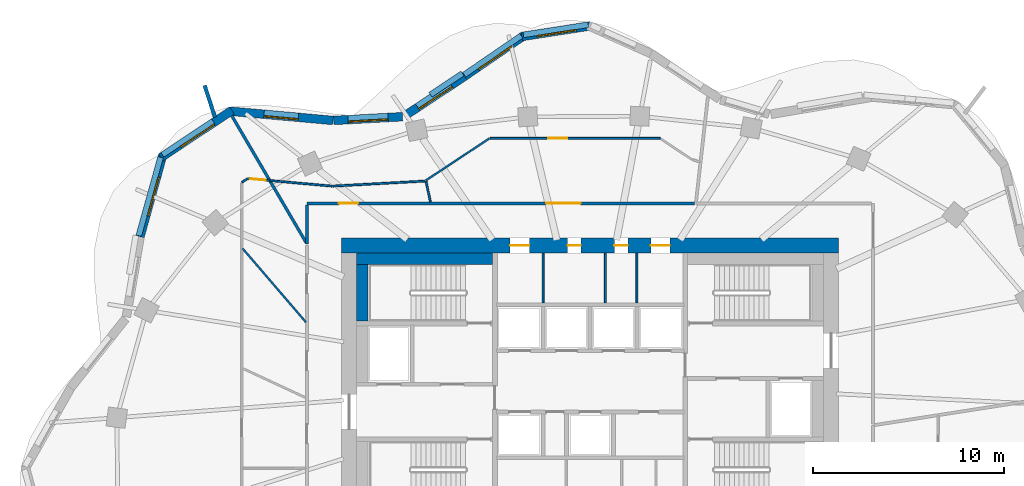
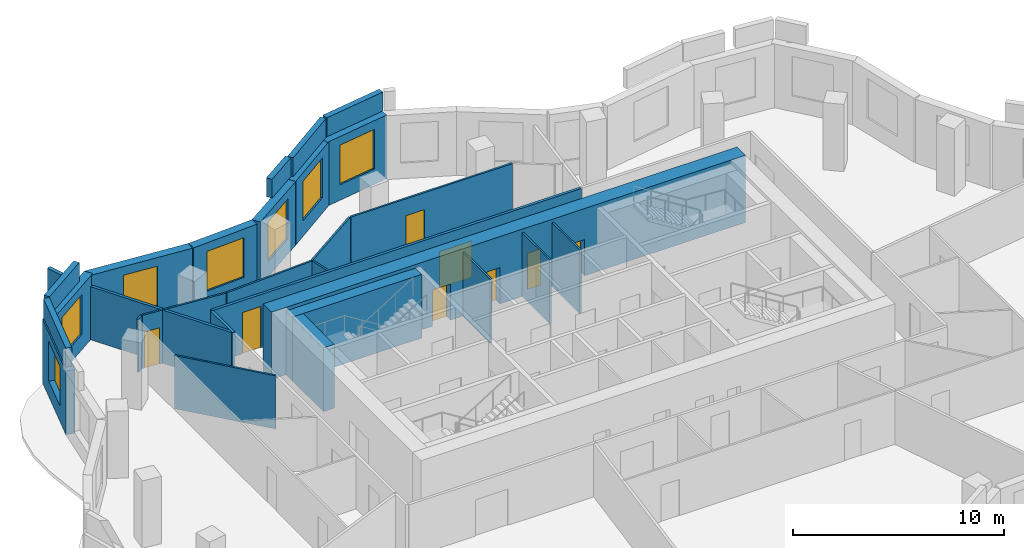
# One storey, part 7 of 9: 30 walls, 8 doors, 7 windows, 15 openings.
"""IFC4 building model written with IfcOpenShell, lengths in metres."""

from ifc_helpers import new_model, si_unit, direction, frame, frame_2d, origin, place, context, subcontext, project, spatial, rectangle, extrude, material, layer, layer_set, type_object, element, fill, save


model = new_model("IFC4")

# Units and contexts
model_context = context("Model", 3, precision=1e-05, world=origin(), true_north=direction((0.0, 1.0)))
body_context = subcontext(model_context, "Body", "Model", "MODEL_VIEW")
ifc_project = project(units=[si_unit("LENGTHUNIT", "METRE"), si_unit("AREAUNIT", "SQUARE_METRE"), si_unit("VOLUMEUNIT", "CUBIC_METRE"), si_unit("PLANEANGLEUNIT", "RADIAN"), si_unit("MASSUNIT", "GRAM", prefix="KILO")], contexts=[model_context])

# Site, building, storey
site_placement = place(None, origin())
site = spatial("IfcSite", under=ifc_project, at=site_placement, CompositionType="ELEMENT")
building_placement = place(site_placement, origin())
building = spatial("IfcBuilding", under=site, at=building_placement, Name="Rubra Terraces Tower", CompositionType="ELEMENT")
storey_placement = place(building_placement, frame((0.0, 0.0, 248.699951171875)))
storey = spatial("IfcBuildingStorey", under=building, at=storey_placement, Name="L61", CompositionType="ELEMENT", Elevation=248.699951171875)

# Wall, opening, window
ifc_material_1 = material(Name="Brick masonry red-brown", Category="masonry")
ifc_layer_1 = layer(ifc_material_1, 0.449951171875)
ifc_layer_set_1 = layer_set([ifc_layer_1], Name="Brick masonry red-brown")
wall_type_1 = type_object("IfcWallType", Name="Brick facade wall 450", PredefinedType="SOLIDWALL", material=ifc_layer_set_1)
wall_1_placement = place(storey_placement, frame((0.03466796875, 23.084716796875, 0.0), z_axis=(0.0, 0.0, 1.0), x_axis=(-0.988133637562, -0.153596596054, 0.0)))
wall_1 = element("IfcWall", 1, at=wall_1_placement, inside=storey, type_object=wall_type_1, Name="Facade wall L61 bay 11", PredefinedType="SOLIDWALL", context=body_context, shape_type="SweptSolid", body=[
    extrude(rectangle(XDim=3.646240234375, YDim=0.449951171875, at=frame_2d((1.8232421875, 0.0))), origin(), (0.0, 0.0, 1.0), 3.699951171875),
])
opening_1_placement = place(wall_1_placement, frame((0.773193359375, 0.0, 0.89990234375)))
opening_1 = element("IfcOpeningElement", 2, at=opening_1_placement, cuts=wall_1, Name="Opening W1B", PredefinedType="OPENING", context=body_context, shape_type="SweptSolid", body=[
    extrude(rectangle(XDim=2.10009765625, YDim=2.300048828125, at=frame_2d((1.050048828125, 1.14990234375))), frame((0.0, 0.23486328125, 0.0), z_axis=(0.0, -1.0, 0.0), x_axis=(1.0, 0.0, 0.0)), (0.0, 0.0, 1.0), 0.469970703125),
])
ifc_material_2 = material(Name="Clear glass in aluminium frame", Category="aluminium")
window_type_1 = type_object("IfcWindowType", Name="Fixed deep-set window tall storey 2100 x 2300", PartitioningType="SINGLE_PANEL", PredefinedType="WINDOW", material=ifc_material_2)
window_1_placement = place(opening_1_placement, origin())
window_1 = element("IfcWindow", 3, at=window_1_placement, inside=storey, type_object=window_type_1, Name="Window L61 bay 11", OverallHeight=2.300048828125, OverallWidth=2.10009765625, PartitioningType="SINGLE_PANEL", PredefinedType="WINDOW", context=body_context, shape_type="SweptSolid", body=[
    extrude(rectangle(XDim=2.10009765625, YDim=2.300048828125, at=frame_2d((1.050048828125, 1.14990234375))), frame((0.0, 0.135009765625, 0.0), z_axis=(0.0, -1.0, 0.0), x_axis=(1.0, 0.0, 0.0)), (0.0, 0.0, 1.0), 0.06005859375),
])
fill(opening_1, window_1)

wall_2_placement = place(storey_placement, frame((-3.478515625, 22.559814453125, 0.0), z_axis=(0.0, 0.0, 1.0), x_axis=(-0.824722766417, -0.565537230033, 0.0)))
wall_2 = element("IfcWall", 4, at=wall_2_placement, inside=storey, type_object=wall_type_1, Name="Facade wall L61 bay 12", PredefinedType="SOLIDWALL", context=body_context, shape_type="SweptSolid", body=[
    extrude(rectangle(XDim=3.742431640625, YDim=0.449951171875, at=frame_2d((1.87109375, 0.0))), origin(), (0.0, 0.0, 1.0), 3.699951171875),
])
opening_2_placement = place(wall_2_placement, frame((0.8212890625, 0.0, 0.89990234375)))
opening_2 = element("IfcOpeningElement", 5, at=opening_2_placement, cuts=wall_2, Name="Opening W1B", PredefinedType="OPENING", context=body_context, shape_type="SweptSolid", body=[
    extrude(rectangle(XDim=2.10009765625, YDim=2.300048828125, at=frame_2d((1.050048828125, 1.14990234375))), frame((0.0, 0.23486328125, 0.0), z_axis=(0.0, -1.0, 0.0), x_axis=(1.0, 0.0, 0.0)), (0.0, 0.0, 1.0), 0.469970703125),
])
window_2_placement = place(opening_2_placement, origin())
window_2 = element("IfcWindow", 6, at=window_2_placement, inside=storey, type_object=window_type_1, Name="Window L61 bay 12", OverallHeight=2.300048828125, OverallWidth=2.10009765625, PartitioningType="SINGLE_PANEL", PredefinedType="WINDOW", context=body_context, shape_type="SweptSolid", body=[
    extrude(rectangle(XDim=2.10009765625, YDim=2.300048828125, at=frame_2d((1.050048828125, 1.14990234375))), frame((0.0, 0.135009765625, 0.0), z_axis=(0.0, -1.0, 0.0), x_axis=(1.0, 0.0, 0.0)), (0.0, 0.0, 1.0), 0.06005859375),
])
fill(opening_2, window_2)

wall_3_placement = place(storey_placement, frame((-6.568115234375, 20.44140625, 0.0), z_axis=(0.0, 0.0, 1.0), x_axis=(-0.834034214531, -0.551712723246, 0.0)))
wall_3 = element("IfcWall", 7, at=wall_3_placement, inside=storey, type_object=wall_type_1, Name="Facade wall L61 bay 13", PredefinedType="SOLIDWALL", context=body_context, shape_type="SweptSolid", body=[
    extrude(rectangle(XDim=3.75732421875, YDim=0.449951171875, at=frame_2d((1.878662109375, 0.0))), origin(), (0.0, 0.0, 1.0), 3.699951171875),
])
opening_3_placement = place(wall_3_placement, frame((0.82861328125, 0.0, 0.89990234375)))
opening_3 = element("IfcOpeningElement", 8, at=opening_3_placement, cuts=wall_3, Name="Opening W1B", PredefinedType="OPENING", context=body_context, shape_type="SweptSolid", body=[
    extrude(rectangle(XDim=2.10009765625, YDim=2.300048828125, at=frame_2d((1.050048828125, 1.14990234375))), frame((0.0, 0.23486328125, 0.0), z_axis=(0.0, -1.0, 0.0), x_axis=(1.0, 0.0, 0.0)), (0.0, 0.0, 1.0), 0.469970703125),
])
window_3_placement = place(opening_3_placement, origin())
window_3 = element("IfcWindow", 9, at=window_3_placement, inside=storey, type_object=window_type_1, Name="Window L61 bay 13", OverallHeight=2.300048828125, OverallWidth=2.10009765625, PartitioningType="SINGLE_PANEL", PredefinedType="WINDOW", context=body_context, shape_type="SweptSolid", body=[
    extrude(rectangle(XDim=2.10009765625, YDim=2.300048828125, at=frame_2d((1.050048828125, 1.14990234375))), frame((0.0, 0.135009765625, 0.0), z_axis=(0.0, -1.0, 0.0), x_axis=(1.0, 0.0, 0.0)), (0.0, 0.0, 1.0), 0.06005859375),
])
fill(opening_3, window_3)

wall_4_placement = place(storey_placement, frame((-9.80322265625, 18.333740234375, 0.0), z_axis=(0.0, 0.0, 1.0), x_axis=(-0.998525941495, -0.054276552602, 0.0)))
wall_4 = element("IfcWall", 10, at=wall_4_placement, inside=storey, type_object=wall_type_1, Name="Facade wall L61 bay 14", PredefinedType="SOLIDWALL", context=body_context, shape_type="SweptSolid", body=[
    extrude(rectangle(XDim=3.60302734375, YDim=0.449951171875, at=frame_2d((1.801513671875, 0.0))), origin(), (0.0, 0.0, 1.0), 3.699951171875),
])
opening_4_placement = place(wall_4_placement, frame((0.75146484375, 0.0, 0.89990234375)))
opening_4 = element("IfcOpeningElement", 11, at=opening_4_placement, cuts=wall_4, Name="Opening W1B", PredefinedType="OPENING", context=body_context, shape_type="SweptSolid", body=[
    extrude(rectangle(XDim=2.10009765625, YDim=2.300048828125, at=frame_2d((1.050048828125, 1.14990234375))), frame((0.0, 0.23486328125, 0.0), z_axis=(0.0, -1.0, 0.0), x_axis=(1.0, 0.0, 0.0)), (0.0, 0.0, 1.0), 0.469970703125),
])
window_4_placement = place(opening_4_placement, origin())
window_4 = element("IfcWindow", 12, at=window_4_placement, inside=storey, type_object=window_type_1, Name="Window L61 bay 14", OverallHeight=2.300048828125, OverallWidth=2.10009765625, PartitioningType="SINGLE_PANEL", PredefinedType="WINDOW", context=body_context, shape_type="SweptSolid", body=[
    extrude(rectangle(XDim=2.10009765625, YDim=2.300048828125, at=frame_2d((1.050048828125, 1.14990234375))), frame((0.0, 0.135009765625, 0.0), z_axis=(0.0, -1.0, 0.0), x_axis=(1.0, 0.0, 0.0)), (0.0, 0.0, 1.0), 0.06005859375),
])
fill(opening_4, window_4)

wall_5_placement = place(storey_placement, frame((-13.435791015625, 18.1376953125, 0.0), z_axis=(0.0, 0.0, 1.0), x_axis=(-0.99598810213, 0.089485755376, 0.0)))
wall_5 = element("IfcWall", 13, at=wall_5_placement, inside=storey, type_object=wall_type_1, Name="Facade wall L61 bay 15", PredefinedType="SOLIDWALL", context=body_context, shape_type="SweptSolid", body=[
    extrude(rectangle(XDim=5.451171875, YDim=0.449951171875, at=frame_2d((2.7255859375, 0.0))), origin(), (0.0, 0.0, 1.0), 3.699951171875),
])
opening_5_placement = place(wall_5_placement, frame((1.825439453125, 0.0, 0.89990234375)))
opening_5 = element("IfcOpeningElement", 14, at=opening_5_placement, cuts=wall_5, Name="Opening W6B", PredefinedType="OPENING", context=body_context, shape_type="SweptSolid", body=[
    extrude(rectangle(XDim=1.800048828125, YDim=2.300048828125, at=frame_2d((0.89990234375, 1.14990234375))), frame((0.0, 0.23486328125, 0.0), z_axis=(0.0, -1.0, 0.0), x_axis=(1.0, 0.0, 0.0)), (0.0, 0.0, 1.0), 0.469970703125),
])
window_type_2 = type_object("IfcWindowType", Name="Fixed deep-set window at wind fin tall storey 1800 x 2300", PartitioningType="SINGLE_PANEL", PredefinedType="WINDOW", material=ifc_material_2)
window_5_placement = place(opening_5_placement, origin())
window_5 = element("IfcWindow", 15, at=window_5_placement, inside=storey, type_object=window_type_2, Name="Window L61 bay 15", OverallHeight=2.300048828125, OverallWidth=1.800048828125, PartitioningType="SINGLE_PANEL", PredefinedType="WINDOW", context=body_context, shape_type="SweptSolid", body=[
    extrude(rectangle(XDim=1.800048828125, YDim=2.300048828125, at=frame_2d((0.89990234375, 1.14990234375))), frame((0.0, 0.135009765625, 0.0), z_axis=(0.0, -1.0, 0.0), x_axis=(1.0, 0.0, 0.0)), (0.0, 0.0, 1.0), 0.06005859375),
])
fill(opening_5, window_5)

wall_6_placement = place(storey_placement, frame((-18.7255859375, 18.66259765625, 0.0), z_axis=(0.0, 0.0, 1.0), x_axis=(-0.83333921474, -0.552761931736, 0.0)))
wall_6 = element("IfcWall", 16, at=wall_6_placement, inside=storey, type_object=wall_type_1, Name="Facade wall L61 bay 16", PredefinedType="SOLIDWALL", context=body_context, shape_type="SweptSolid", body=[
    extrude(rectangle(XDim=4.45068359375, YDim=0.449951171875, at=frame_2d((2.225341796875, 0.0))), origin(), (0.0, 0.0, 1.0), 3.699951171875),
])
opening_6_placement = place(wall_6_placement, frame((1.17529296875, 0.0, 0.89990234375)))
opening_6 = element("IfcOpeningElement", 17, at=opening_6_placement, cuts=wall_6, Name="Opening W1B", PredefinedType="OPENING", context=body_context, shape_type="SweptSolid", body=[
    extrude(rectangle(XDim=2.10009765625, YDim=2.300048828125, at=frame_2d((1.050048828125, 1.14990234375))), frame((0.0, 0.23486328125, 0.0), z_axis=(0.0, -1.0, 0.0), x_axis=(1.0, 0.0, 0.0)), (0.0, 0.0, 1.0), 0.469970703125),
])
window_6_placement = place(opening_6_placement, origin())
window_6 = element("IfcWindow", 18, at=window_6_placement, inside=storey, type_object=window_type_1, Name="Window L61 bay 16", OverallHeight=2.300048828125, OverallWidth=2.10009765625, PartitioningType="SINGLE_PANEL", PredefinedType="WINDOW", context=body_context, shape_type="SweptSolid", body=[
    extrude(rectangle(XDim=2.10009765625, YDim=2.300048828125, at=frame_2d((1.050048828125, 1.14990234375))), frame((0.0, 0.135009765625, 0.0), z_axis=(0.0, -1.0, 0.0), x_axis=(1.0, 0.0, 0.0)), (0.0, 0.0, 1.0), 0.06005859375),
])
fill(opening_6, window_6)

wall_7_placement = place(storey_placement, frame((-22.343505859375, 16.32568359375, 0.0), z_axis=(0.0, 0.0, 1.0), x_axis=(-0.267925456304, -0.963439645159, 0.0)))
wall_7 = element("IfcWall", 19, at=wall_7_placement, inside=storey, type_object=wall_type_1, Name="Facade wall L61 bay 17", PredefinedType="SOLIDWALL", context=body_context, shape_type="SweptSolid", body=[
    extrude(rectangle(XDim=4.4267578125, YDim=0.449951171875, at=frame_2d((2.21337890625, 0.0))), origin(), (0.0, 0.0, 1.0), 3.699951171875),
])
opening_7_placement = place(wall_7_placement, frame((1.16357421875, 0.0, 0.89990234375)))
opening_7 = element("IfcOpeningElement", 20, at=opening_7_placement, cuts=wall_7, Name="Opening W1B", PredefinedType="OPENING", context=body_context, shape_type="SweptSolid", body=[
    extrude(rectangle(XDim=2.10009765625, YDim=2.300048828125, at=frame_2d((1.050048828125, 1.14990234375))), frame((0.0, 0.23486328125, 0.0), z_axis=(0.0, -1.0, 0.0), x_axis=(1.0, 0.0, 0.0)), (0.0, 0.0, 1.0), 0.469970703125),
])
window_7_placement = place(opening_7_placement, origin())
window_7 = element("IfcWindow", 21, at=window_7_placement, inside=storey, type_object=window_type_1, Name="Window L61 bay 17", OverallHeight=2.300048828125, OverallWidth=2.10009765625, PartitioningType="SINGLE_PANEL", PredefinedType="WINDOW", context=body_context, shape_type="SweptSolid", body=[
    extrude(rectangle(XDim=2.10009765625, YDim=2.300048828125, at=frame_2d((1.050048828125, 1.14990234375))), frame((0.0, 0.135009765625, 0.0), z_axis=(0.0, -1.0, 0.0), x_axis=(1.0, 0.0, 0.0)), (0.0, 0.0, 1.0), 0.06005859375),
])
fill(opening_7, window_7)

# Walls
ifc_layer_2 = layer(ifc_material_1, 0.300048828125)
ifc_layer_set_2 = layer_set([ifc_layer_2], Name="Brick masonry red-brown")
wall_type_2 = type_object("IfcWallType", Name="Brick parapet 300", PredefinedType="PARAPET", material=ifc_layer_set_2)
wall_8_placement = place(storey_placement, frame((-0.09423828125, 23.140380859375, 3.900146484375), z_axis=(0.0, 0.0, 1.0), x_axis=(-0.988150084887, -0.153490748056, 0.0)))
element("IfcWall", 22, at=wall_8_placement, inside=storey, type_object=wall_type_2, Name="Parapet L61 bay 11", PredefinedType="PARAPET", context=body_context, shape_type="SweptSolid", body=[
    extrude(rectangle(XDim=3.42919921875, YDim=0.300048828125, at=frame_2d((1.714599609375, 0.0))), origin(), (0.0, 0.0, 1.0), 1.099853515625),
])
wall_9_placement = place(storey_placement, frame((-3.59912109375, 22.56787109375, 3.900146484375), z_axis=(0.0, 0.0, 1.0), x_axis=(-0.82476034254, -0.565482428881, 0.0)))
element("IfcWall", 23, at=wall_9_placement, inside=storey, type_object=wall_type_2, Name="Parapet L61 bay 12", PredefinedType="PARAPET", context=body_context, shape_type="SweptSolid", body=[
    extrude(rectangle(XDim=3.61572265625, YDim=0.300048828125, at=frame_2d((1.807861328125, 0.0))), origin(), (0.0, 0.0, 1.0), 1.099853515625),
])
wall_10_placement = place(storey_placement, frame((-6.665283203125, 20.593017578125, 3.900146484375), z_axis=(0.0, 0.0, 1.0), x_axis=(-0.834027642059, -0.551722658843, 0.0)))
element("IfcWall", 24, at=wall_10_placement, inside=storey, type_object=wall_type_2, Name="Parapet L61 bay 13", PredefinedType="PARAPET", context=body_context, shape_type="SweptSolid", body=[
    extrude(rectangle(XDim=2.008056640625, YDim=0.300048828125, at=frame_2d((1.00390625, 0.0))), origin(), (0.0, 0.0, 1.0), 1.099853515625),
])
wall_11_placement = place(storey_placement, frame((-19.70751953125, 18.101318359375, 3.900146484375), z_axis=(0.0, 0.0, 1.0), x_axis=(-0.833370664286, -0.552714515738, 0.0)))
element("IfcWall", 25, at=wall_11_placement, inside=storey, type_object=wall_type_2, Name="Parapet L61 bay 16", PredefinedType="PARAPET", context=body_context, shape_type="SweptSolid", body=[
    extrude(rectangle(XDim=3.180419921875, YDim=0.300048828125, at=frame_2d((1.59033203125, 0.0))), origin(), (0.0, 0.0, 1.0), 1.099853515625),
])
wall_12_placement = place(storey_placement, frame((-22.452392578125, 16.213134765625, 3.900146484375), z_axis=(0.0, 0.0, 1.0), x_axis=(-0.267993020858, -0.963420853403, 0.0)))
element("IfcWall", 26, at=wall_12_placement, inside=storey, type_object=wall_type_2, Name="Parapet L61 bay 17", PredefinedType="PARAPET", context=body_context, shape_type="SweptSolid", body=[
    extrude(rectangle(XDim=4.25537109375, YDim=0.300048828125, at=frame_2d((2.127685546875, 0.0))), origin(), (0.0, 0.0, 1.0), 1.099853515625),
])
ifc_layer_3 = layer(ifc_material_1, 0.199951171875)
ifc_layer_set_3 = layer_set([ifc_layer_3], Name="Brick masonry red-brown")
wall_type_3 = type_object("IfcWallType", Name="Brick wind fin 200", PredefinedType="SOLIDWALL", material=ifc_layer_set_3)
wall_13_placement = place(storey_placement, frame((-19.60888671875, 18.304931640625, 0.0), z_axis=(0.0, 0.0, 1.0), x_axis=(-0.308600224758, 0.951191832008, 0.0)))
element("IfcWall", 27, at=wall_13_placement, inside=storey, type_object=wall_type_3, Name="Wind fin L61 10", PredefinedType="SOLIDWALL", context=body_context, shape_type="SweptSolid", body=[
    extrude(rectangle(XDim=1.75, YDim=0.199951171875, at=frame_2d((0.875, 0.0))), origin(), (0.0, 0.0, 1.0), 3.699951171875),
])

# Wall, openings, doors
ifc_material_3 = material(Name="Concrete C50", Category="concrete")
ifc_layer_4 = layer(ifc_material_3, 0.800048828125)
ifc_layer_set_4 = layer_set([ifc_layer_4], Name="Concrete C50")
wall_type_4 = type_object("IfcWallType", Name="CORE WALL 800 C50", PredefinedType="SHEAR", material=ifc_layer_set_4)
wall_14_placement = place(storey_placement, frame((-13.0, 11.60009765625, 0.0), z_axis=(0.0, 0.0, 1.0), x_axis=(1.0, 0.0, 0.0)))
wall_14 = element("IfcWall", 28, at=wall_14_placement, inside=storey, type_object=wall_type_4, Name="CORE WALL N L61", PredefinedType="SHEAR", context=body_context, shape_type="SweptSolid", body=[
    extrude(rectangle(XDim=26.0, YDim=0.800048828125, at=frame_2d((13.0, 0.0))), origin(), (0.0, 0.0, 1.0), 3.900146484375),
])
opening_8_placement = place(wall_14_placement, frame((8.824951171875, 0.0, 0.0)))
opening_8 = element("IfcOpeningElement", 29, at=opening_8_placement, cuts=wall_14, Name="Opening L61.C25", PredefinedType="OPENING", context=body_context, shape_type="SweptSolid", body=[
    extrude(rectangle(XDim=1.0, YDim=2.10009765625, at=frame_2d((0.5, 1.050048828125))), frame((0.0, 0.409912109375, 0.0), z_axis=(0.0, -1.0, 0.0), x_axis=(1.0, 0.0, 0.0)), (0.0, 0.0, 1.0), 0.820068359375),
])
opening_9_placement = place(wall_14_placement, frame((11.824951171875, 0.0, 0.0)))
opening_9 = element("IfcOpeningElement", 30, at=opening_9_placement, cuts=wall_14, Name="Opening L61.C26", PredefinedType="OPENING", context=body_context, shape_type="SweptSolid", body=[
    extrude(rectangle(XDim=0.699951171875, YDim=2.10009765625, at=frame_2d((0.35009765625, 1.050048828125))), frame((0.0, 0.409912109375, 0.0), z_axis=(0.0, -1.0, 0.0), x_axis=(1.0, 0.0, 0.0)), (0.0, 0.0, 1.0), 0.820068359375),
])
opening_10_placement = place(wall_14_placement, frame((14.27490234375, 0.0, 0.0)))
opening_10 = element("IfcOpeningElement", 31, at=opening_10_placement, cuts=wall_14, Name="Opening L61.C27", PredefinedType="OPENING", context=body_context, shape_type="SweptSolid", body=[
    extrude(rectangle(XDim=0.699951171875, YDim=2.10009765625, at=frame_2d((0.35009765625, 1.050048828125))), frame((0.0, 0.409912109375, 0.0), z_axis=(0.0, -1.0, 0.0), x_axis=(1.0, 0.0, 0.0)), (0.0, 0.0, 1.0), 0.820068359375),
])
opening_11_placement = place(wall_14_placement, frame((16.175048828125, 0.0, 0.0)))
opening_11 = element("IfcOpeningElement", 32, at=opening_11_placement, cuts=wall_14, Name="Opening L61.C28", PredefinedType="OPENING", context=body_context, shape_type="SweptSolid", body=[
    extrude(rectangle(XDim=1.0, YDim=2.10009765625, at=frame_2d((0.5, 1.050048828125))), frame((0.0, 0.409912109375, 0.0), z_axis=(0.0, -1.0, 0.0), x_axis=(1.0, 0.0, 0.0)), (0.0, 0.0, 1.0), 0.820068359375),
])
ifc_material_4 = material(Name="Painted steel", Category="steel")
door_type_1 = type_object("IfcDoorType", Name="Fire door 1000x2100 single", OperationType="NOTDEFINED", PredefinedType="DOOR", material=ifc_material_4)
door_1_placement = place(opening_8_placement, origin())
door_1 = element("IfcDoor", 33, at=door_1_placement, inside=storey, type_object=door_type_1, Name="Security and building control room door", OperationType="SINGLE_SWING_LEFT", OverallHeight=2.10009765625, OverallWidth=1.0, PredefinedType="DOOR", context=body_context, shape_type="SweptSolid", body=[
    extrude(rectangle(XDim=1.0, YDim=2.10009765625, at=frame_2d((0.5, 1.050048828125))), frame((0.0, 0.02490234375, 0.0), z_axis=(0.0, -1.0, 0.0), x_axis=(1.0, 0.0, 0.0)), (0.0, 0.0, 1.0), 0.050048828125),
])
fill(opening_8, door_1)
door_2_placement = place(opening_11_placement, origin())
door_2 = element("IfcDoor", 34, at=door_2_placement, inside=storey, type_object=door_type_1, Name="Guest pantry door", OperationType="SINGLE_SWING_RIGHT", OverallHeight=2.10009765625, OverallWidth=1.0, PredefinedType="DOOR", context=body_context, shape_type="SweptSolid", body=[
    extrude(rectangle(XDim=1.0, YDim=2.10009765625, at=frame_2d((0.5, 1.050048828125))), frame((0.0, 0.02490234375, 0.0), z_axis=(0.0, -1.0, 0.0), x_axis=(1.0, 0.0, 0.0)), (0.0, 0.0, 1.0), 0.050048828125),
])
fill(opening_11, door_2)
door_type_2 = type_object("IfcDoorType", Name="Riser access door 700x2100 single", OperationType="NOTDEFINED", PredefinedType="DOOR", material=ifc_material_4)
door_3_placement = place(opening_9_placement, origin())
door_3 = element("IfcDoor", 35, at=door_3_placement, inside=storey, type_object=door_type_2, Name="Telecoms room door", OperationType="SINGLE_SWING_RIGHT", OverallHeight=2.10009765625, OverallWidth=0.699951171875, PredefinedType="DOOR", context=body_context, shape_type="SweptSolid", body=[
    extrude(rectangle(XDim=0.699951171875, YDim=2.10009765625, at=frame_2d((0.35009765625, 1.050048828125))), frame((0.0, 0.02490234375, 0.0), z_axis=(0.0, -1.0, 0.0), x_axis=(1.0, 0.0, 0.0)), (0.0, 0.0, 1.0), 0.050048828125),
])
fill(opening_9, door_3)
door_4_placement = place(opening_10_placement, origin())
door_4 = element("IfcDoor", 36, at=door_4_placement, inside=storey, type_object=door_type_2, Name="Water and drainage riser door", OperationType="SINGLE_SWING_LEFT", OverallHeight=2.10009765625, OverallWidth=0.699951171875, PredefinedType="DOOR", context=body_context, shape_type="SweptSolid", body=[
    extrude(rectangle(XDim=0.699951171875, YDim=2.10009765625, at=frame_2d((0.35009765625, 1.050048828125))), frame((0.0, 0.02490234375, 0.0), z_axis=(0.0, -1.0, 0.0), x_axis=(1.0, 0.0, 0.0)), (0.0, 0.0, 1.0), 0.050048828125),
])
fill(opening_10, door_4)

ifc_material_5 = material(Name="Plasterboard on steel stud, mineral wool infill", Category="steel")
ifc_layer_5 = layer(ifc_material_5, 0.14990234375)
ifc_layer_set_5 = layer_set([ifc_layer_5], Name="Plasterboard on steel stud, mineral wool infill")
wall_type_5 = type_object("IfcWallType", Name="CORRIDOR PARTITION 150", PredefinedType="PARTITIONING", material=ifc_layer_set_5)
wall_15_placement = place(storey_placement, frame((5.457763671875, 13.800048828125, 0.0), z_axis=(0.0, 0.0, 1.0), x_axis=(-1.0, 0.0, 0.0)))
wall_15 = element("IfcWall", 37, at=wall_15_placement, inside=storey, type_object=wall_type_5, Name="PARTITION", PredefinedType="PARTITIONING", context=body_context, shape_type="SweptSolid", body=[
    extrude(rectangle(XDim=20.2578125, YDim=0.14990234375, at=frame_2d((10.12890625, 0.0))), origin(), (0.0, 0.0, 1.0), 3.083984375),
])
opening_12_placement = place(wall_15_placement, frame((5.95703125, 0.0, 0.0)))
opening_12 = element("IfcOpeningElement", 38, at=opening_12_placement, cuts=wall_15, Name="Opening 61-112", PredefinedType="OPENING", context=body_context, shape_type="SweptSolid", body=[
    extrude(rectangle(XDim=1.800048828125, YDim=2.10009765625, at=frame_2d((0.89990234375, 1.050048828125))), frame((0.0, 0.0849609375, 0.0), z_axis=(0.0, -1.0, 0.0), x_axis=(1.0, 0.0, 0.0)), (0.0, 0.0, 1.0), 0.169921875),
])
opening_13_placement = place(wall_15_placement, frame((17.583984375, 0.0, 0.0)))
opening_13 = element("IfcOpeningElement", 39, at=opening_13_placement, cuts=wall_15, Name="Opening 61-114", PredefinedType="OPENING", context=body_context, shape_type="SweptSolid", body=[
    extrude(rectangle(XDim=1.0, YDim=2.39990234375, at=frame_2d((0.5, 1.199951171875))), frame((0.0, 0.0849609375, 0.0), z_axis=(0.0, -1.0, 0.0), x_axis=(1.0, 0.0, 0.0)), (0.0, 0.0, 1.0), 0.169921875),
])
ifc_material_6 = material(Name="Glazed aluminium meeting door leaf", Category="aluminium")
door_type_3 = type_object("IfcDoorType", Name="MEETING ROOM GLAZED DOOR 1000 X 2400", OperationType="SINGLE_SWING_LEFT", PredefinedType="DOOR", material=ifc_material_6)
door_5_placement = place(opening_13_placement, origin())
door_5 = element("IfcDoor", 40, at=door_5_placement, inside=storey, type_object=door_type_3, Name="DOOR 61-114", OperationType="SINGLE_SWING_LEFT", OverallHeight=2.39990234375, OverallWidth=1.0, PredefinedType="DOOR", context=body_context, shape_type="SweptSolid", body=[
    extrude(rectangle(XDim=1.0, YDim=2.39990234375, at=frame_2d((0.5, 1.199951171875))), frame((0.0, 0.02490234375, 0.0), z_axis=(0.0, -1.0, 0.0), x_axis=(1.0, 0.0, 0.0)), (0.0, 0.0, 1.0), 0.050048828125),
])
fill(opening_13, door_5)
ifc_material_7 = material(Name="Painted timber door leaf, double", Category="wood")
door_type_4 = type_object("IfcDoorType", Name="ROOM DOUBLE DOOR 1800 X 2100", OperationType="DOUBLE_DOOR_SINGLE_SWING", PredefinedType="DOOR", material=ifc_material_7)
door_6_placement = place(opening_12_placement, origin())
door_6 = element("IfcDoor", 41, at=door_6_placement, inside=storey, type_object=door_type_4, Name="DOOR 61-112", OperationType="DOUBLE_DOOR_SINGLE_SWING", OverallHeight=2.10009765625, OverallWidth=1.800048828125, PredefinedType="DOOR", context=body_context, shape_type="SweptSolid", body=[
    extrude(rectangle(XDim=1.800048828125, YDim=2.10009765625, at=frame_2d((0.89990234375, 1.050048828125))), frame((0.0, 0.02490234375, 0.0), z_axis=(0.0, -1.0, 0.0), x_axis=(1.0, 0.0, 0.0)), (0.0, 0.0, 1.0), 0.050048828125),
])
fill(opening_12, door_6)

# Walls
wall_16_placement = place(storey_placement, frame((-14.800048828125, 13.72509765625, 0.0), z_axis=(0.0, 0.0, 1.0), x_axis=(0.0, -1.0, 0.0)))
element("IfcWall", 42, at=wall_16_placement, inside=storey, type_object=wall_type_5, Name="PARTITION", PredefinedType="PARTITIONING", context=body_context, shape_type="SweptSolid", body=[
    extrude(rectangle(XDim=2.0458984375, YDim=0.14990234375, at=frame_2d((1.02294921875, 0.0))), origin(), (0.0, 0.0, 1.0), 3.083984375),
])
ifc_material_8 = material(Name="Concrete C40", Category="concrete")
ifc_layer_6 = layer(ifc_material_8, 0.60009765625)
ifc_layer_set_6 = layer_set([ifc_layer_6], Name="Concrete C40")
wall_type_6 = type_object("IfcWallType", Name="Core lining wall 600 concrete", PredefinedType="SOLIDWALL", material=ifc_layer_set_6)
wall_17_placement = place(storey_placement, frame((-11.89990234375, 7.64990234375, 0.0), z_axis=(0.0, 0.0, 1.0), x_axis=(0.0, 1.0, 0.0)))
element("IfcWall", 43, at=wall_17_placement, inside=storey, type_object=wall_type_6, Name="CORE LINING WALL L61", PredefinedType="SOLIDWALL", context=body_context, shape_type="SweptSolid", body=[
    extrude(rectangle(XDim=2.9501953125, YDim=0.60009765625, at=frame_2d((1.47509765625, 0.0))), origin(), (0.0, 0.0, 1.0), 3.699951171875),
])
wall_18_placement = place(storey_placement, frame((-12.199951171875, 10.89990234375, 0.0), z_axis=(0.0, 0.0, 1.0), x_axis=(1.0, 0.0, 0.0)))
element("IfcWall", 44, at=wall_18_placement, inside=storey, type_object=wall_type_6, Name="CORE LINING WALL L61", PredefinedType="SOLIDWALL", context=body_context, shape_type="SweptSolid", body=[
    extrude(rectangle(XDim=7.099853515625, YDim=0.60009765625, at=frame_2d((3.5498046875, 0.0))), origin(), (0.0, 0.0, 1.0), 3.699951171875),
])
ifc_material_9 = material(Name="Plasterboard on steel stud", Category="steel")
ifc_layer_7 = layer(ifc_material_9, 0.10009765625)
ifc_layer_set_7 = layer_set([ifc_layer_7], Name="Plasterboard on steel stud")
wall_type_7 = type_object("IfcWallType", Name="ROOM PARTITION 100", PredefinedType="PARTITIONING", material=ifc_layer_set_7)
wall_19_placement = place(storey_placement, frame((-16.72021484375, 14.993896484375, 0.0), z_axis=(0.0, 0.0, 1.0), x_axis=(0.9959948888, -0.089410186696, 0.0)))
element("IfcWall", 45, at=wall_19_placement, inside=storey, type_object=wall_type_7, Name="PARTITION", PredefinedType="PARTITIONING", context=body_context, shape_type="SweptSolid", body=[
    extrude(rectangle(XDim=3.24658203125, YDim=0.10009765625, at=frame_2d((1.623291015625, 0.0))), origin(), (0.0, 0.0, 1.0), 3.083984375),
])
wall_20_placement = place(storey_placement, frame((-13.436767578125, 14.706298828125, 0.0), z_axis=(0.0, 0.0, 1.0), x_axis=(0.998525882111, 0.054277645072, 0.0)))
element("IfcWall", 46, at=wall_20_placement, inside=storey, type_object=wall_type_7, Name="PARTITION", PredefinedType="PARTITIONING", context=body_context, shape_type="SweptSolid", body=[
    extrude(rectangle(XDim=4.808349609375, YDim=0.10009765625, at=frame_2d((2.404296875, 0.0))), origin(), (0.0, 0.0, 1.0), 3.083984375),
])
wall_21_placement = place(storey_placement, frame((-8.59375, 14.9951171875, 0.0), z_axis=(0.0, 0.0, 1.0), x_axis=(0.834065304192, 0.551665721559, 0.0)))
element("IfcWall", 47, at=wall_21_placement, inside=storey, type_object=wall_type_7, Name="PARTITION", PredefinedType="PARTITIONING", context=body_context, shape_type="SweptSolid", body=[
    extrude(rectangle(XDim=3.99658203125, YDim=0.10009765625, at=frame_2d((1.998291015625, 0.0))), origin(), (0.0, 0.0, 1.0), 3.083984375),
])

# Wall, opening, door
wall_22_placement = place(storey_placement, frame((-5.210205078125, 17.199951171875, 0.0), z_axis=(0.0, 0.0, 1.0), x_axis=(1.0, 0.0, 0.0)))
wall_22 = element("IfcWall", 48, at=wall_22_placement, inside=storey, type_object=wall_type_7, Name="PARTITION", PredefinedType="PARTITIONING", context=body_context, shape_type="SweptSolid", body=[
    extrude(rectangle(XDim=8.872802734375, YDim=0.10009765625, at=frame_2d((4.4365234375, 0.0))), origin(), (0.0, 0.0, 1.0), 3.083984375),
])
opening_14_placement = place(wall_22_placement, frame((3.030029296875, 0.0, 0.0)))
opening_14 = element("IfcOpeningElement", 49, at=opening_14_placement, cuts=wall_22, Name="Opening 61-113", PredefinedType="OPENING", context=body_context, shape_type="SweptSolid", body=[
    extrude(rectangle(XDim=1.0, YDim=2.10009765625, at=frame_2d((0.5, 1.050048828125))), frame((0.0, 0.06005859375, 0.0), z_axis=(0.0, -1.0, 0.0), x_axis=(1.0, 0.0, 0.0)), (0.0, 0.0, 1.0), 0.1201171875),
])
ifc_material_10 = material(Name="Painted timber door leaf", Category="wood")
door_type_5 = type_object("IfcDoorType", Name="ROOM DOOR 1000 X 2100", OperationType="SINGLE_SWING_LEFT", PredefinedType="DOOR", material=ifc_material_10)
door_7_placement = place(opening_14_placement, origin())
door_7 = element("IfcDoor", 50, at=door_7_placement, inside=storey, type_object=door_type_5, Name="DOOR 61-113", OperationType="SINGLE_SWING_LEFT", OverallHeight=2.10009765625, OverallWidth=1.0, PredefinedType="DOOR", context=body_context, shape_type="SweptSolid", body=[
    extrude(rectangle(XDim=1.0, YDim=2.10009765625, at=frame_2d((0.5, 1.050048828125))), frame((0.0, 0.02490234375, 0.0), z_axis=(0.0, -1.0, 0.0), x_axis=(1.0, 0.0, 0.0)), (0.0, 0.0, 1.0), 0.050048828125),
])
fill(opening_14, door_7)

# Walls
wall_23_placement = place(storey_placement, frame((-8.34619140625, 13.873291015625, 0.0), z_axis=(0.0, 0.0, 1.0), x_axis=(-0.205341331552, 0.978690419671, 0.0)))
element("IfcWall", 51, at=wall_23_placement, inside=storey, type_object=wall_type_7, Name="PARTITION", PredefinedType="PARTITIONING", context=body_context, shape_type="SweptSolid", body=[
    extrude(rectangle(XDim=1.103271484375, YDim=0.10009765625, at=frame_2d((0.5517578125, 0.0))), origin(), (0.0, 0.0, 1.0), 3.083984375),
])
wall_24_placement = place(storey_placement, frame((-18.199951171875, 14.9013671875, 0.0), z_axis=(0.0, 0.0, 1.0), x_axis=(0.833509335289, 0.552505373717, 0.0)))
element("IfcWall", 52, at=wall_24_placement, inside=storey, type_object=wall_type_7, Name="PARTITION", PredefinedType="PARTITIONING", context=body_context, shape_type="SweptSolid", body=[
    extrude(rectangle(XDim=0.359619140625, YDim=0.10009765625, at=frame_2d((0.1796875, 0.0))), origin(), (0.0, 0.0, 1.0), 3.083984375),
])

# Wall, opening, door
wall_25_placement = place(storey_placement, frame((-17.850341796875, 15.095703125, 0.0), z_axis=(0.0, 0.0, 1.0), x_axis=(0.995966605389, -0.089724695315, 0.0)))
wall_25 = element("IfcWall", 53, at=wall_25_placement, inside=storey, type_object=wall_type_7, Name="PARTITION", PredefinedType="PARTITIONING", context=body_context, shape_type="SweptSolid", body=[
    extrude(rectangle(XDim=1.085693359375, YDim=0.10009765625, at=frame_2d((0.54296875, 0.0))), origin(), (0.0, 0.0, 1.0), 3.083984375),
])
opening_15_placement = place(wall_25_placement, frame((0.10009765625, 0.0, 0.0)))
opening_15 = element("IfcOpeningElement", 54, at=opening_15_placement, cuts=wall_25, Name="Opening 61-119", PredefinedType="OPENING", context=body_context, shape_type="SweptSolid", body=[
    extrude(rectangle(XDim=0.800048828125, YDim=2.10009765625, at=frame_2d((0.39990234375, 1.050048828125))), frame((0.0, 0.06005859375, 0.0), z_axis=(0.0, -1.0, 0.0), x_axis=(1.0, 0.0, 0.0)), (0.0, 0.0, 1.0), 0.1201171875),
])
door_type_6 = type_object("IfcDoorType", Name="BATHROOM DOOR 800 X 2100", OperationType="SINGLE_SWING_LEFT", PredefinedType="DOOR", material=ifc_material_10)
door_8_placement = place(opening_15_placement, origin())
door_8 = element("IfcDoor", 55, at=door_8_placement, inside=storey, type_object=door_type_6, Name="DOOR 61-119", OperationType="SINGLE_SWING_RIGHT", OverallHeight=2.10009765625, OverallWidth=0.800048828125, PredefinedType="DOOR", context=body_context, shape_type="SweptSolid", body=[
    extrude(rectangle(XDim=0.800048828125, YDim=2.10009765625, at=frame_2d((0.39990234375, 1.050048828125))), frame((0.0, 0.02490234375, 0.0), z_axis=(0.0, -1.0, 0.0), x_axis=(1.0, 0.0, 0.0)), (0.0, 0.0, 1.0), 0.050048828125),
])
fill(opening_15, door_8)

# Walls
wall_26_placement = place(storey_placement, frame((-14.848876953125, 7.584228515625, 0.0), z_axis=(0.0, 0.0, 1.0), x_axis=(-0.65160818205, 0.758555717852, 0.0)))
element("IfcWall", 56, at=wall_26_placement, inside=storey, type_object=wall_type_7, Name="PARTITION", PredefinedType="PARTITIONING", context=body_context, shape_type="SweptSolid", body=[
    extrude(rectangle(XDim=5.093017578125, YDim=0.10009765625, at=frame_2d((2.54638671875, 0.0))), origin(), (0.0, 0.0, 1.0), 3.083984375),
])
ifc_layer_8 = layer(ifc_material_9, 0.14990234375)
ifc_layer_set_8 = layer_set([ifc_layer_8], Name="Plasterboard on steel stud")
wall_type_8 = type_object("IfcWallType", Name="ROOM PARTITION 150", PredefinedType="PARTITIONING", material=ifc_layer_set_8)
wall_27_placement = place(storey_placement, frame((-18.730224609375, 18.383544921875, 0.0), z_axis=(0.0, 0.0, 1.0), x_axis=(0.505731710935, -0.862690811679, 0.0)))
element("IfcWall", 57, at=wall_27_placement, inside=storey, type_object=wall_type_8, Name="PARTITION", PredefinedType="PARTITIONING", context=body_context, shape_type="SweptSolid", body=[
    extrude(rectangle(XDim=7.696533203125, YDim=0.14990234375, at=frame_2d((3.84814453125, 0.0))), origin(), (0.0, 0.0, 1.0), 3.083984375),
])
ifc_material_11 = material(Name="Blockwork", Category="masonry")
ifc_layer_9 = layer(ifc_material_11, 0.10009765625)
ifc_layer_set_9 = layer_set([ifc_layer_9], Name="Blockwork")
wall_type_9 = type_object("IfcWallType", Name="Service partition 100 blockwork", PredefinedType="PARTITIONING", material=ifc_layer_set_9)
for number, where, z_axis, x_axis, name in (
    (58, (-2.449951171875, 8.60009765625, 0.0), (0.0, 0.0, 1.0), (0.0, 1.0, 0.0), "SERVICE ROOM PARTITION L61"),
    (59, (0.800048828125, 8.60009765625, 0.0), (0.0, 0.0, 1.0), (0.0, 1.0, 0.0), "SERVICE ROOM PARTITION L61"),
    (60, (2.449951171875, 8.60009765625, 0.0), (0.0, 0.0, 1.0), (0.0, 1.0, 0.0), "SERVICE ROOM PARTITION L61"),
):
    element("IfcWall", number, at=place(storey_placement, frame(where, z_axis=z_axis, x_axis=x_axis)), inside=storey, type_object=wall_type_9, Name=name, PredefinedType="PARTITIONING", context=body_context, shape_type="SweptSolid", body=[
        extrude(rectangle(XDim=2.599853515625, YDim=0.10009765625, at=frame_2d((1.2998046875, 0.0))), origin(), (0.0, 0.0, 1.0), 3.699951171875),
    ])

save(model, "model.ifc")
